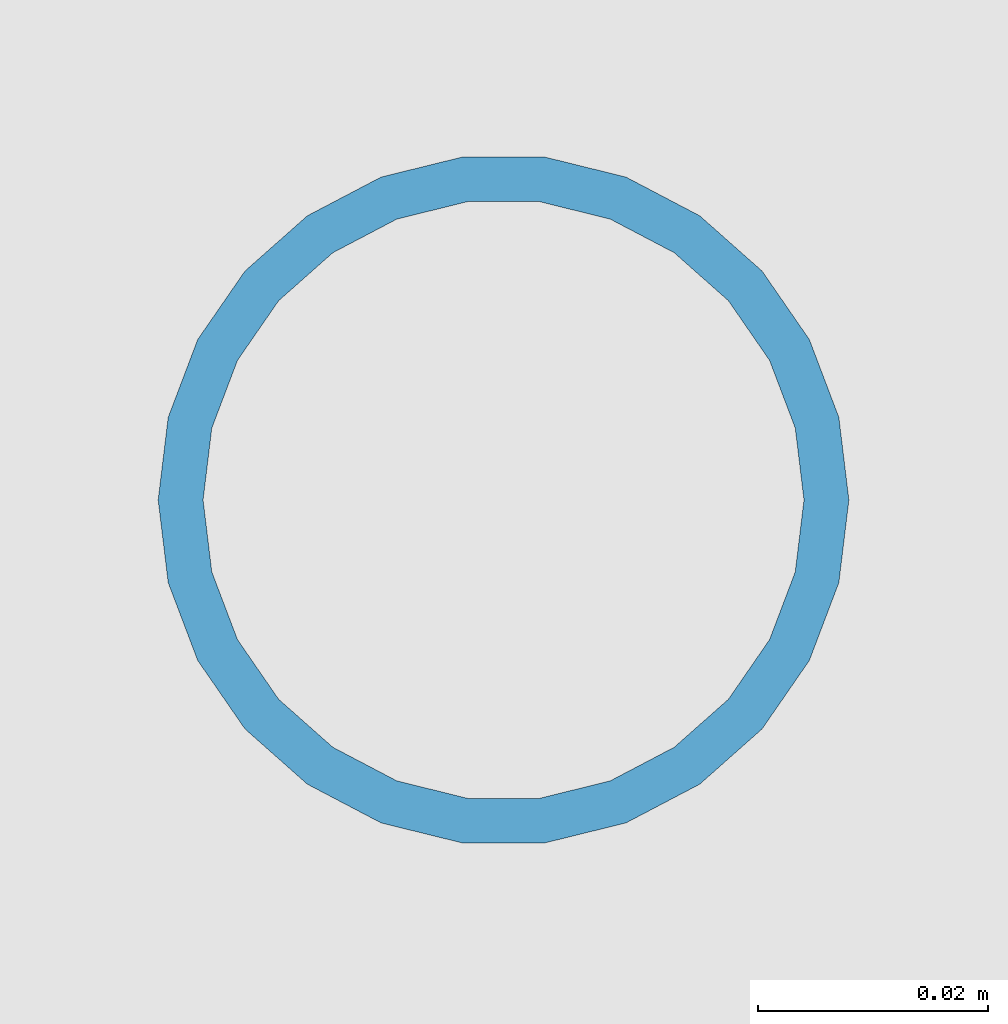
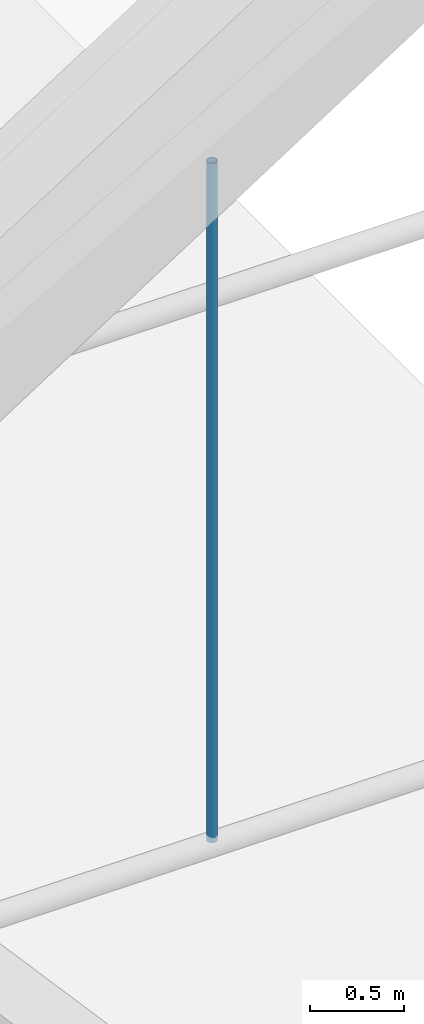
# One storey, part 23 of 94: 1 member.
"""IFC4 building model written with IfcOpenShell, lengths in metres."""

from ifc_helpers import new_model, si_unit, direction, frame, origin, origin_2d, place, context, subcontext, project, spatial, hollow_circle, extrude, material, material_profile, profile_set, type_object, element, save


model = new_model("IFC4")

# Units and contexts
model_context = context("Model", 3, precision=1e-05, world=origin(), true_north=direction((0.0, 1.0)))
body_context = subcontext(model_context, "Body", "Model", "MODEL_VIEW")
ifc_project = project(units=[si_unit("LENGTHUNIT", "METRE"), si_unit("AREAUNIT", "SQUARE_METRE"), si_unit("VOLUMEUNIT", "CUBIC_METRE"), si_unit("PLANEANGLEUNIT", "RADIAN"), si_unit("MASSUNIT", "GRAM", prefix="KILO")], contexts=[model_context])

# Site, building, storey
site_placement = place(None, origin())
site = spatial("IfcSite", under=ifc_project, at=site_placement, CompositionType="ELEMENT")
building_placement = place(site_placement, origin())
building = spatial("IfcBuilding", under=site, at=building_placement, Name="Lunette Opera House", CompositionType="ELEMENT")
storey_placement = place(building_placement, frame((0.0, 0.0, 22.5)))
storey = spatial("IfcBuildingStorey", under=building, at=storey_placement, Name="L04", CompositionType="ELEMENT", Elevation=22.5)

# Member
ifc_material = material(Name="Steel S355", Category="steel")
ifc_material_profile = material_profile(ifc_material, hollow_circle(Radius=0.030029296875, WallThickness=0.00390625, at=origin_2d()), Name="CHS 60.3X4")
ifc_profile_set = profile_set([ifc_material_profile], Name="Steel S355")
member_type = type_object("IfcMemberType", Name="CHS 60.3X4", PredefinedType="POST", material=ifc_profile_set)
member_placement = place(storey_placement, frame((83.0, 81.95703125, 2.72998046875), z_axis=(0.0, 0.0, 1.0), x_axis=(1.0, 0.0, 0.0)))
element("IfcMember", 1, at=member_placement, inside=storey, type_object=member_type, Name="mem-AU-L04-HG5-83", PredefinedType="POST", context=body_context, shape_type="SweptSolid", body=[
    extrude(hollow_circle(Radius=0.030029296875, WallThickness=0.00390625, at=origin_2d()), origin(), (0.0, 0.0, 1.0), 4.4111328125),
])

save(model, "model.ifc")
